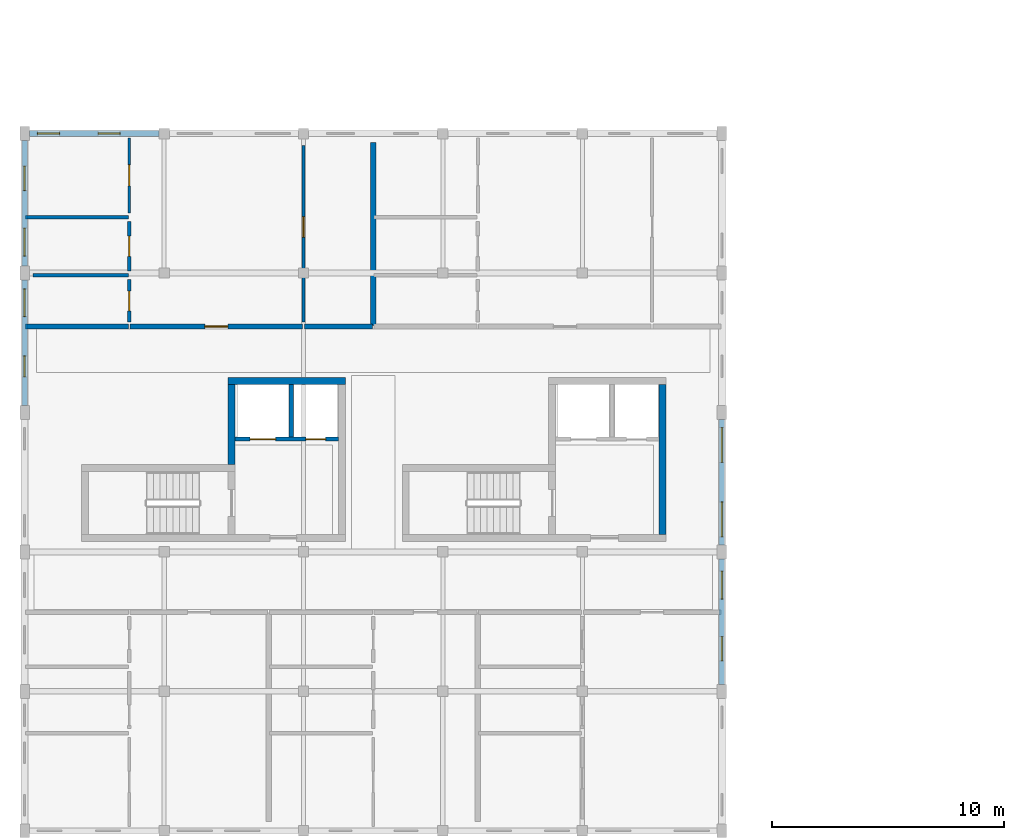
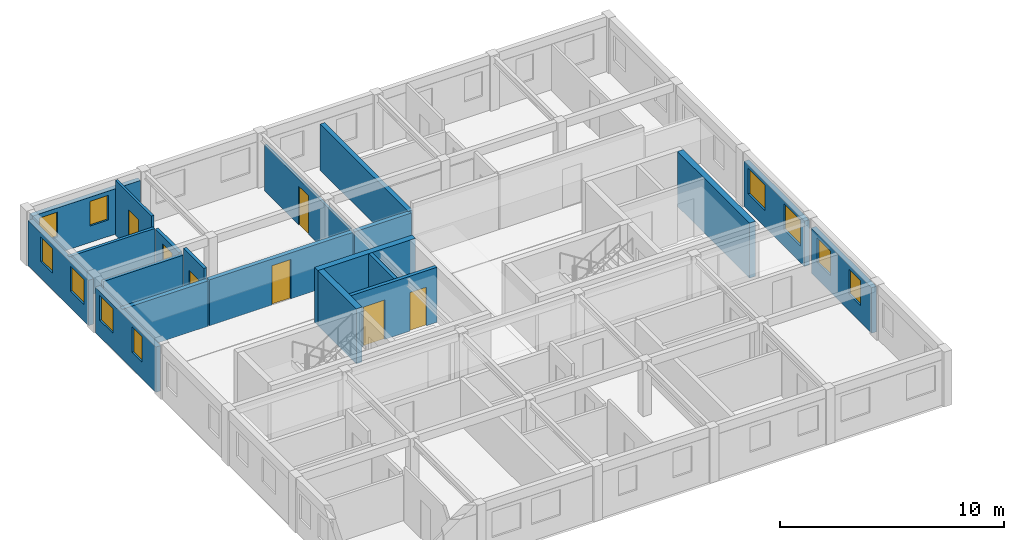
# One storey, part 4 of 9: 20 walls, 10 windows, 7 doors, 17 openings.
"""IFC4 building model written with IfcOpenShell, lengths in metres."""

from ifc_helpers import new_model, si_unit, direction, frame, frame_2d, origin, place, context, subcontext, project, spatial, rectangle, extrude, material, layer, layer_set, type_object, element, fill, save


model = new_model("IFC4")

# Units and contexts
model_context = context("Model", 3, precision=1e-05, world=origin(), true_north=direction((0.0, 1.0)))
body_context = subcontext(model_context, "Body", "Model", "MODEL_VIEW")
ifc_project = project(units=[si_unit("LENGTHUNIT", "METRE"), si_unit("AREAUNIT", "SQUARE_METRE"), si_unit("VOLUMEUNIT", "CUBIC_METRE"), si_unit("PLANEANGLEUNIT", "RADIAN"), si_unit("MASSUNIT", "GRAM", prefix="KILO"), si_unit("POWERUNIT", "WATT"), si_unit("THERMODYNAMICTEMPERATUREUNIT", "KELVIN")], contexts=[model_context])

# Site, building, storey
site_placement = place(None, origin())
site = spatial("IfcSite", under=ifc_project, at=site_placement, CompositionType="ELEMENT")
building_placement = place(site_placement, origin())
building = spatial("IfcBuilding", under=site, at=building_placement, Name="Ruvembo Vaulted Housing Court", CompositionType="ELEMENT")
storey_placement = place(building_placement, frame((0.0, 0.0, 36.5)))
storey = spatial("IfcBuildingStorey", under=building, at=storey_placement, Name="L11", CompositionType="ELEMENT", Elevation=36.5)

# Walls
ifc_material_1 = material(Name="Concrete C35/45", Category="concrete")
ifc_layer_1 = layer(ifc_material_1, 0.300048828125, Name="Concrete C35/45")
ifc_layer_set_1 = layer_set([ifc_layer_1], Name="Concrete C35/45")
wall_type_1 = type_object("IfcWallType", Name="WL-CORE-300", PredefinedType="SHEAR", material=ifc_layer_set_1)
wall_1_placement = place(storey_placement, frame((13.800048828125, 25.35009765625, 0.0), z_axis=(0.0, 0.0, 1.0), x_axis=(-1.0, 0.0, 0.0)))
element("IfcWall", 1, at=wall_1_placement, inside=storey, type_object=wall_type_1, Name="Core A1 L11 North Shear Wall", PredefinedType="SHEAR", context=body_context, shape_type="SweptSolid", body=[
    extrude(rectangle(XDim=5.050048828125, YDim=0.300048828125, at=frame_2d((2.52490234375, 0.0))), origin(), (0.0, 0.0, 1.0), 2.9951171875),
])
wall_2_placement = place(storey_placement, frame((8.89990234375, 21.75, 0.0), z_axis=(0.0, 0.0, 1.0), x_axis=(0.0, 1.0, 0.0)))
element("IfcWall", 2, at=wall_2_placement, inside=storey, type_object=wall_type_1, Name="Core A1 L11 Upper West Shear Wall", PredefinedType="SHEAR", context=body_context, shape_type="SweptSolid", body=[
    extrude(rectangle(XDim=3.449951171875, YDim=0.300048828125, at=frame_2d((1.72509765625, 0.0))), origin(), (0.0, 0.0, 1.0), 2.9951171875),
])
wall_3_placement = place(storey_placement, frame((27.449951171875, 18.75, 0.0), z_axis=(0.0, 0.0, 1.0), x_axis=(0.0, 1.0, 0.0)))
element("IfcWall", 3, at=wall_3_placement, inside=storey, type_object=wall_type_1, Name="Core A2 L11 East Shear Wall", PredefinedType="SHEAR", context=body_context, shape_type="SweptSolid", body=[
    extrude(rectangle(XDim=6.449951171875, YDim=0.300048828125, at=frame_2d((3.22509765625, 0.0))), origin(), (0.0, 0.0, 1.0), 2.9951171875),
])
ifc_material_2 = material(Name="Concrete Blockwork 210", Category="masonry")
ifc_layer_2 = layer(ifc_material_2, 0.2099609375, Name="Concrete Blockwork 210")
ifc_layer_set_2 = layer_set([ifc_layer_2], Name="Concrete Blockwork 210")
wall_type_2 = type_object("IfcWallType", Name="WL-CORR-210", PredefinedType="SOLIDWALL", material=ifc_layer_set_2)
wall_4_placement = place(storey_placement, frame((0.0400390625, 27.699951171875, 0.0), z_axis=(0.0, 0.0, 1.0), x_axis=(1.0, 0.0, 0.0)))
element("IfcWall", 4, at=wall_4_placement, inside=storey, type_object=wall_type_2, Name="L11 Flat A-L11-N1 Corridor Wall WL-INT-L11-02288", PredefinedType="SOLIDWALL", context=body_context, shape_type="SweptSolid", body=[
    extrude(rectangle(XDim=4.419921875, YDim=0.2099609375, at=frame_2d((2.2099609375, 0.0))), origin(), (0.0, 0.0, 1.0), 2.47705078125),
])

# Wall, opening, door
wall_5_placement = place(storey_placement, frame((4.5400390625, 27.699951171875, 0.0), z_axis=(0.0, 0.0, 1.0), x_axis=(1.0, 0.0, 0.0)))
wall_5 = element("IfcWall", 5, at=wall_5_placement, inside=storey, type_object=wall_type_2, Name="L11 Flat A-L11-N1 Entrance WL-INT-L11-02289", PredefinedType="SOLIDWALL", context=body_context, shape_type="SweptSolid", body=[
    extrude(rectangle(XDim=7.419921875, YDim=0.2099609375, at=frame_2d((3.7099609375, 0.0))), origin(), (0.0, 0.0, 1.0), 2.508056640625),
])
opening_1_placement = place(wall_5_placement, frame((3.219970703125, 0.0, 0.0)))
opening_1 = element("IfcOpeningElement", 6, at=opening_1_placement, cuts=wall_5, Name="Opening FD2", PredefinedType="OPENING", context=body_context, shape_type="SweptSolid", body=[
    extrude(rectangle(XDim=0.97998046875, YDim=2.14990234375, at=frame_2d((0.489990234375, 1.074951171875))), frame((0.0, 0.114990234375, 0.0), z_axis=(0.0, -1.0, 0.0), x_axis=(1.0, 0.0, 0.0)), (0.0, 0.0, 1.0), 0.22998046875),
])
ifc_material_3 = material(Name="FSC Hardwood and Engineered Timber", Category="wood")
door_type_1 = type_object("IfcDoorType", Name="DR-FLAT-0980x2150", OperationType="NOTDEFINED", PredefinedType="DOOR", material=ifc_material_3)
door_1_placement = place(opening_1_placement, origin())
door_1 = element("IfcDoor", 7, at=door_1_placement, inside=storey, type_object=door_type_1, Name="L11 Flat A-L11-N1 Entrance Door DR-INT-L11-01267", OperationType="SINGLE_SWING_LEFT", OverallHeight=2.14990234375, OverallWidth=0.97998046875, PredefinedType="DOOR", context=body_context, shape_type="SweptSolid", body=[
    extrude(rectangle(XDim=0.97998046875, YDim=2.14990234375, at=frame_2d((0.489990234375, 1.074951171875))), frame((0.0, 0.02490234375, 0.0), z_axis=(0.0, -1.0, 0.0), x_axis=(1.0, 0.0, 0.0)), (0.0, 0.0, 1.0), 0.050048828125),
])
fill(opening_1, door_1)

# Walls
wall_6_placement = place(storey_placement, frame((12.0400390625, 27.699951171875, 0.0), z_axis=(0.0, 0.0, 1.0), x_axis=(1.0, 0.0, 0.0)))
element("IfcWall", 8, at=wall_6_placement, inside=storey, type_object=wall_type_2, Name="L11 Flat A-L11-N1 Corridor Wall 2 WL-INT-L11-02295", PredefinedType="SOLIDWALL", context=body_context, shape_type="SweptSolid", body=[
    extrude(rectangle(XDim=2.919921875, YDim=0.2099609375, at=frame_2d((1.4599609375, 0.0))), origin(), (0.0, 0.0, 1.0), 2.508056640625),
])
ifc_material_4 = material(Name="Acoustic Masonry Demising 230", Category="masonry")
ifc_layer_3 = layer(ifc_material_4, 0.22998046875, Name="Acoustic Masonry Demising 230")
ifc_layer_set_3 = layer_set([ifc_layer_3], Name="Acoustic Masonry Demising 230")
wall_type_3 = type_object("IfcWallType", Name="WL-DEM-230", PredefinedType="SOLIDWALL", material=ifc_layer_set_3)
wall_7_placement = place(storey_placement, frame((15.0, 27.739990234375, 0.0), z_axis=(0.0, 0.0, 1.0), x_axis=(0.0, 1.0, 0.0)))
element("IfcWall", 9, at=wall_7_placement, inside=storey, type_object=wall_type_3, Name="L11 Demising A-L11-N1 WL-INT-L11-02287", PredefinedType="SOLIDWALL", context=body_context, shape_type="SweptSolid", body=[
    extrude(rectangle(XDim=7.8701171875, YDim=0.22998046875, at=frame_2d((3.93505859375, 0.0))), origin(), (0.0, 0.0, 1.0), 2.527099609375),
])

# Wall, openings, windows
ifc_material_5 = material(Name="Rendered Masonry 245", Category="masonry")
ifc_layer_4 = layer(ifc_material_5, 0.2451171875, Name="Rendered Masonry 245")
ifc_layer_set_4 = layer_set([ifc_layer_4], Name="Rendered Masonry 245")
wall_type_4 = type_object("IfcWallType", Name="WL-EXT-245", PredefinedType="STANDARD", material=ifc_layer_set_4)
wall_8_placement = place(storey_placement, frame((30.0, 12.300048828125, 0.0), z_axis=(0.0, 0.0, 1.0), x_axis=(0.0, 1.0, 0.0)))
wall_8 = element("IfcWall", 10, at=wall_8_placement, inside=storey, type_object=wall_type_4, Name="Block A L11 Exterior Wall EAST #2", PredefinedType="STANDARD", context=body_context, shape_type="SweptSolid", body=[
    extrude(rectangle(XDim=5.39990234375, YDim=0.2451171875, at=frame_2d((2.699951171875, 0.0))), origin(), (0.0, 0.0, 1.0), 2.47705078125),
])
opening_2_placement = place(wall_8_placement, frame((1.0048828125, 0.0, 0.89990234375)))
opening_2 = element("IfcOpeningElement", 11, at=opening_2_placement, cuts=wall_8, Name="Opening W09", PredefinedType="OPENING", context=body_context, shape_type="SweptSolid", body=[
    extrude(rectangle(XDim=1.050048828125, YDim=1.35009765625, at=frame_2d((0.52490234375, 0.675048828125))), frame((0.0, 0.132568359375, 0.0), z_axis=(0.0, -1.0, 0.0), x_axis=(1.0, 0.0, 0.0)), (0.0, 0.0, 1.0), 0.26513671875),
])
opening_3_placement = place(wall_8_placement, frame((3.669921875, 0.0, 0.89990234375)))
opening_3 = element("IfcOpeningElement", 12, at=opening_3_placement, cuts=wall_8, Name="Opening W12", PredefinedType="OPENING", context=body_context, shape_type="SweptSolid", body=[
    extrude(rectangle(XDim=1.199951171875, YDim=1.35009765625, at=frame_2d((0.60009765625, 0.675048828125))), frame((0.0, 0.132568359375, 0.0), z_axis=(0.0, -1.0, 0.0), x_axis=(1.0, 0.0, 0.0)), (0.0, 0.0, 1.0), 0.26513671875),
])
ifc_material_6 = material(Name="Double Solar-Control Glazing in Aluminium Frame", Category="aluminium")
window_type_1 = type_object("IfcWindowType", Name="WIN-1050x1350", PartitioningType="SINGLE_PANEL", PredefinedType="WINDOW", material=ifc_material_6)
window_1_placement = place(opening_2_placement, origin())
window_1 = element("IfcWindow", 13, at=window_1_placement, inside=storey, type_object=window_type_1, Name="Block A L11 Window #483", OverallHeight=1.35009765625, OverallWidth=1.050048828125, PartitioningType="SINGLE_PANEL", PredefinedType="WINDOW", context=body_context, shape_type="SweptSolid", body=[
    extrude(rectangle(XDim=1.050048828125, YDim=1.35009765625, at=frame_2d((0.52490234375, 0.675048828125))), frame((0.0, 0.030029296875, 0.0), z_axis=(0.0, -1.0, 0.0), x_axis=(1.0, 0.0, 0.0)), (0.0, 0.0, 1.0), 0.06005859375),
])
fill(opening_2, window_1)
window_type_2 = type_object("IfcWindowType", Name="WIN-1200x1350", PartitioningType="SINGLE_PANEL", PredefinedType="WINDOW", material=ifc_material_6)
window_2_placement = place(opening_3_placement, origin())
window_2 = element("IfcWindow", 14, at=window_2_placement, inside=storey, type_object=window_type_2, Name="Block A L11 Window #484", OverallHeight=1.35009765625, OverallWidth=1.199951171875, PartitioningType="SINGLE_PANEL", PredefinedType="WINDOW", context=body_context, shape_type="SweptSolid", body=[
    extrude(rectangle(XDim=1.199951171875, YDim=1.35009765625, at=frame_2d((0.60009765625, 0.675048828125))), frame((0.0, 0.030029296875, 0.0), z_axis=(0.0, -1.0, 0.0), x_axis=(1.0, 0.0, 0.0)), (0.0, 0.0, 1.0), 0.06005859375),
])
fill(opening_3, window_2)

wall_9_placement = place(storey_placement, frame((30.0, 18.300048828125, 0.0), z_axis=(0.0, 0.0, 1.0), x_axis=(0.0, 1.0, 0.0)))
wall_9 = element("IfcWall", 15, at=wall_9_placement, inside=storey, type_object=wall_type_4, Name="Block A L11 Exterior Wall EAST #3", PredefinedType="STANDARD", context=body_context, shape_type="SweptSolid", body=[
    extrude(rectangle(XDim=5.39990234375, YDim=0.2451171875, at=frame_2d((2.699951171875, 0.0))), origin(), (0.0, 0.0, 1.0), 2.47705078125),
])
opening_4_placement = place(wall_9_placement, frame((0.35009765625, 0.0, 0.89990234375)))
opening_4 = element("IfcOpeningElement", 16, at=opening_4_placement, cuts=wall_9, Name="Opening W18", PredefinedType="OPENING", context=body_context, shape_type="SweptSolid", body=[
    extrude(rectangle(XDim=1.5, YDim=1.39990234375, at=frame_2d((0.75, 0.699951171875))), frame((0.0, 0.132568359375, 0.0), z_axis=(0.0, -1.0, 0.0), x_axis=(1.0, 0.0, 0.0)), (0.0, 0.0, 1.0), 0.26513671875),
])
opening_5_placement = place(wall_9_placement, frame((3.550048828125, 0.0, 0.89990234375)))
opening_5 = element("IfcOpeningElement", 17, at=opening_5_placement, cuts=wall_9, Name="Opening W18", PredefinedType="OPENING", context=body_context, shape_type="SweptSolid", body=[
    extrude(rectangle(XDim=1.5, YDim=1.39990234375, at=frame_2d((0.75, 0.699951171875))), frame((0.0, 0.132568359375, 0.0), z_axis=(0.0, -1.0, 0.0), x_axis=(1.0, 0.0, 0.0)), (0.0, 0.0, 1.0), 0.26513671875),
])
window_type_3 = type_object("IfcWindowType", Name="WIN-1500x1400", PartitioningType="SINGLE_PANEL", PredefinedType="WINDOW", material=ifc_material_6)
window_3_placement = place(opening_4_placement, origin())
window_3 = element("IfcWindow", 18, at=window_3_placement, inside=storey, type_object=window_type_3, Name="Block A L11 Window #485", OverallHeight=1.39990234375, OverallWidth=1.5, PartitioningType="SINGLE_PANEL", PredefinedType="WINDOW", context=body_context, shape_type="SweptSolid", body=[
    extrude(rectangle(XDim=1.5, YDim=1.39990234375, at=frame_2d((0.75, 0.699951171875))), frame((0.0, 0.030029296875, 0.0), z_axis=(0.0, -1.0, 0.0), x_axis=(1.0, 0.0, 0.0)), (0.0, 0.0, 1.0), 0.06005859375),
])
fill(opening_4, window_3)
window_4_placement = place(opening_5_placement, origin())
window_4 = element("IfcWindow", 19, at=window_4_placement, inside=storey, type_object=window_type_3, Name="Block A L11 Window #486", OverallHeight=1.39990234375, OverallWidth=1.5, PartitioningType="SINGLE_PANEL", PredefinedType="WINDOW", context=body_context, shape_type="SweptSolid", body=[
    extrude(rectangle(XDim=1.5, YDim=1.39990234375, at=frame_2d((0.75, 0.699951171875))), frame((0.0, 0.030029296875, 0.0), z_axis=(0.0, -1.0, 0.0), x_axis=(1.0, 0.0, 0.0)), (0.0, 0.0, 1.0), 0.06005859375),
])
fill(opening_5, window_4)

wall_10_placement = place(storey_placement, frame((5.77490234375, 36.0, 0.0), z_axis=(0.0, 0.0, 1.0), x_axis=(-1.0, 0.0, 0.0)))
wall_10 = element("IfcWall", 20, at=wall_10_placement, inside=storey, type_object=wall_type_4, Name="Block A L11 Exterior Wall COURTYARD #5", PredefinedType="STANDARD", context=body_context, shape_type="SweptSolid", body=[
    extrude(rectangle(XDim=5.574951171875, YDim=0.2451171875, at=frame_2d((2.78759765625, 0.0))), origin(), (0.0, 0.0, 1.0), 2.47705078125),
])
opening_6_placement = place(wall_10_placement, frame((1.6650390625, 0.0, 0.89990234375)))
opening_6 = element("IfcOpeningElement", 21, at=opening_6_placement, cuts=wall_10, Name="Opening W07", PredefinedType="OPENING", context=body_context, shape_type="SweptSolid", body=[
    extrude(rectangle(XDim=0.949951171875, YDim=1.35009765625, at=frame_2d((0.47509765625, 0.675048828125))), frame((0.0, 0.132568359375, 0.0), z_axis=(0.0, -1.0, 0.0), x_axis=(1.0, 0.0, 0.0)), (0.0, 0.0, 1.0), 0.26513671875),
])
opening_7_placement = place(wall_10_placement, frame((4.27490234375, 0.0, 0.89990234375)))
opening_7 = element("IfcOpeningElement", 22, at=opening_7_placement, cuts=wall_10, Name="Opening W07", PredefinedType="OPENING", context=body_context, shape_type="SweptSolid", body=[
    extrude(rectangle(XDim=0.949951171875, YDim=1.35009765625, at=frame_2d((0.47509765625, 0.675048828125))), frame((0.0, 0.132568359375, 0.0), z_axis=(0.0, -1.0, 0.0), x_axis=(1.0, 0.0, 0.0)), (0.0, 0.0, 1.0), 0.26513671875),
])
window_type_4 = type_object("IfcWindowType", Name="WIN-0950x1350", PartitioningType="SINGLE_PANEL", PredefinedType="WINDOW", material=ifc_material_6)
window_5_placement = place(opening_6_placement, origin())
window_5 = element("IfcWindow", 23, at=window_5_placement, inside=storey, type_object=window_type_4, Name="Block A L11 Window #499", OverallHeight=1.35009765625, OverallWidth=0.949951171875, PartitioningType="SINGLE_PANEL", PredefinedType="WINDOW", context=body_context, shape_type="SweptSolid", body=[
    extrude(rectangle(XDim=0.949951171875, YDim=1.35009765625, at=frame_2d((0.47509765625, 0.675048828125))), frame((0.0, 0.030029296875, 0.0), z_axis=(0.0, -1.0, 0.0), x_axis=(1.0, 0.0, 0.0)), (0.0, 0.0, 1.0), 0.06005859375),
])
fill(opening_6, window_5)
window_6_placement = place(opening_7_placement, origin())
window_6 = element("IfcWindow", 24, at=window_6_placement, inside=storey, type_object=window_type_4, Name="Block A L11 Window #500", OverallHeight=1.35009765625, OverallWidth=0.949951171875, PartitioningType="SINGLE_PANEL", PredefinedType="WINDOW", context=body_context, shape_type="SweptSolid", body=[
    extrude(rectangle(XDim=0.949951171875, YDim=1.35009765625, at=frame_2d((0.47509765625, 0.675048828125))), frame((0.0, 0.030029296875, 0.0), z_axis=(0.0, -1.0, 0.0), x_axis=(1.0, 0.0, 0.0)), (0.0, 0.0, 1.0), 0.06005859375),
])
fill(opening_7, window_6)

wall_11_placement = place(storey_placement, frame((0.0, 35.699951171875, 0.0), z_axis=(0.0, 0.0, 1.0), x_axis=(0.0, -1.0, 0.0)))
wall_11 = element("IfcWall", 25, at=wall_11_placement, inside=storey, type_object=wall_type_4, Name="Block A L11 Exterior Wall WEST #1", PredefinedType="STANDARD", context=body_context, shape_type="SweptSolid", body=[
    extrude(rectangle(XDim=5.39990234375, YDim=0.2451171875, at=frame_2d((2.699951171875, 0.0))), origin(), (0.0, 0.0, 1.0), 2.47705078125),
])
opening_8_placement = place(wall_11_placement, frame((1.10498046875, 0.0, 0.89990234375)))
opening_8 = element("IfcOpeningElement", 26, at=opening_8_placement, cuts=wall_11, Name="Opening W09", PredefinedType="OPENING", context=body_context, shape_type="SweptSolid", body=[
    extrude(rectangle(XDim=1.050048828125, YDim=1.35009765625, at=frame_2d((0.52490234375, 0.675048828125))), frame((0.0, 0.132568359375, 0.0), z_axis=(0.0, -1.0, 0.0), x_axis=(1.0, 0.0, 0.0)), (0.0, 0.0, 1.0), 0.26513671875),
])
opening_9_placement = place(wall_11_placement, frame((3.77001953125, 0.0, 0.89990234375)))
opening_9 = element("IfcOpeningElement", 27, at=opening_9_placement, cuts=wall_11, Name="Opening W12", PredefinedType="OPENING", context=body_context, shape_type="SweptSolid", body=[
    extrude(rectangle(XDim=1.199951171875, YDim=1.35009765625, at=frame_2d((0.60009765625, 0.675048828125))), frame((0.0, 0.132568359375, 0.0), z_axis=(0.0, -1.0, 0.0), x_axis=(1.0, 0.0, 0.0)), (0.0, 0.0, 1.0), 0.26513671875),
])
window_7_placement = place(opening_8_placement, origin())
window_7 = element("IfcWindow", 28, at=window_7_placement, inside=storey, type_object=window_type_1, Name="Block A L11 Window #501", OverallHeight=1.35009765625, OverallWidth=1.050048828125, PartitioningType="SINGLE_PANEL", PredefinedType="WINDOW", context=body_context, shape_type="SweptSolid", body=[
    extrude(rectangle(XDim=1.050048828125, YDim=1.35009765625, at=frame_2d((0.52490234375, 0.675048828125))), frame((0.0, 0.030029296875, 0.0), z_axis=(0.0, -1.0, 0.0), x_axis=(1.0, 0.0, 0.0)), (0.0, 0.0, 1.0), 0.06005859375),
])
fill(opening_8, window_7)
window_8_placement = place(opening_9_placement, origin())
window_8 = element("IfcWindow", 29, at=window_8_placement, inside=storey, type_object=window_type_2, Name="Block A L11 Window #502", OverallHeight=1.35009765625, OverallWidth=1.199951171875, PartitioningType="SINGLE_PANEL", PredefinedType="WINDOW", context=body_context, shape_type="SweptSolid", body=[
    extrude(rectangle(XDim=1.199951171875, YDim=1.35009765625, at=frame_2d((0.60009765625, 0.675048828125))), frame((0.0, 0.030029296875, 0.0), z_axis=(0.0, -1.0, 0.0), x_axis=(1.0, 0.0, 0.0)), (0.0, 0.0, 1.0), 0.06005859375),
])
fill(opening_9, window_8)

wall_12_placement = place(storey_placement, frame((0.0, 29.699951171875, 0.0), z_axis=(0.0, 0.0, 1.0), x_axis=(0.0, -1.0, 0.0)))
wall_12 = element("IfcWall", 30, at=wall_12_placement, inside=storey, type_object=wall_type_4, Name="Block A L11 Exterior Wall WEST #2", PredefinedType="STANDARD", context=body_context, shape_type="SweptSolid", body=[
    extrude(rectangle(XDim=5.39990234375, YDim=0.2451171875, at=frame_2d((2.699951171875, 0.0))), origin(), (0.0, 0.0, 1.0), 2.47705078125),
])
opening_10_placement = place(wall_12_placement, frame((0.3798828125, 0.0, 0.89990234375)))
opening_10 = element("IfcOpeningElement", 31, at=opening_10_placement, cuts=wall_12, Name="Opening W12", PredefinedType="OPENING", context=body_context, shape_type="SweptSolid", body=[
    extrude(rectangle(XDim=1.199951171875, YDim=1.35009765625, at=frame_2d((0.60009765625, 0.675048828125))), frame((0.0, 0.132568359375, 0.0), z_axis=(0.0, -1.0, 0.0), x_axis=(1.0, 0.0, 0.0)), (0.0, 0.0, 1.0), 0.26513671875),
])
opening_11_placement = place(wall_12_placement, frame((3.27001953125, 0.0, 0.89990234375)))
opening_11 = element("IfcOpeningElement", 32, at=opening_11_placement, cuts=wall_12, Name="Opening W05", PredefinedType="OPENING", context=body_context, shape_type="SweptSolid", body=[
    extrude(rectangle(XDim=0.89990234375, YDim=1.39990234375, at=frame_2d((0.449951171875, 0.699951171875))), frame((0.0, 0.132568359375, 0.0), z_axis=(0.0, -1.0, 0.0), x_axis=(1.0, 0.0, 0.0)), (0.0, 0.0, 1.0), 0.26513671875),
])
window_type_5 = type_object("IfcWindowType", Name="WIN-0900x1400", PartitioningType="SINGLE_PANEL", PredefinedType="WINDOW", material=ifc_material_6)
window_9_placement = place(opening_11_placement, origin())
window_9 = element("IfcWindow", 33, at=window_9_placement, inside=storey, type_object=window_type_5, Name="Block A L11 Window #504", OverallHeight=1.39990234375, OverallWidth=0.89990234375, PartitioningType="SINGLE_PANEL", PredefinedType="WINDOW", context=body_context, shape_type="SweptSolid", body=[
    extrude(rectangle(XDim=0.89990234375, YDim=1.39990234375, at=frame_2d((0.449951171875, 0.699951171875))), frame((0.0, 0.030029296875, 0.0), z_axis=(0.0, -1.0, 0.0), x_axis=(1.0, 0.0, 0.0)), (0.0, 0.0, 1.0), 0.06005859375),
])
fill(opening_11, window_9)
window_10_placement = place(opening_10_placement, origin())
window_10 = element("IfcWindow", 34, at=window_10_placement, inside=storey, type_object=window_type_2, Name="Block A L11 Window #503", OverallHeight=1.35009765625, OverallWidth=1.199951171875, PartitioningType="SINGLE_PANEL", PredefinedType="WINDOW", context=body_context, shape_type="SweptSolid", body=[
    extrude(rectangle(XDim=1.199951171875, YDim=1.35009765625, at=frame_2d((0.60009765625, 0.675048828125))), frame((0.0, 0.030029296875, 0.0), z_axis=(0.0, -1.0, 0.0), x_axis=(1.0, 0.0, 0.0)), (0.0, 0.0, 1.0), 0.06005859375),
])
fill(opening_10, window_10)

# Wall, opening, door
ifc_material_7 = material(Name="Plasterboard Stud Partition 125", Category="gypsum")
ifc_layer_5 = layer(ifc_material_7, 0.125, Name="Plasterboard Stud Partition 125")
ifc_layer_set_5 = layer_set([ifc_layer_5], Name="Plasterboard Stud Partition 125")
wall_type_5 = type_object("IfcWallType", Name="WL-PART-125", PredefinedType="PARTITIONING", material=ifc_layer_set_5)
wall_13_placement = place(storey_placement, frame((4.5, 32.590087890625, 0.0), z_axis=(0.0, 0.0, 1.0), x_axis=(0.0, 1.0, 0.0)))
wall_13 = element("IfcWall", 35, at=wall_13_placement, inside=storey, type_object=wall_type_5, Name="L11 Flat A-L11-N1 Bedroom 1 WL-INT-L11-02290", PredefinedType="PARTITIONING", context=body_context, shape_type="SweptSolid", body=[
    extrude(rectangle(XDim=3.219970703125, YDim=0.125, at=frame_2d((1.60986328125, 0.0))), origin(), (0.0, 0.0, 1.0), 2.9951171875),
])
opening_12_placement = place(wall_13_placement, frame((1.159912109375, 0.0, 0.0)))
opening_12 = element("IfcOpeningElement", 36, at=opening_12_placement, cuts=wall_13, Name="Opening ID1", PredefinedType="OPENING", context=body_context, shape_type="SweptSolid", body=[
    extrude(rectangle(XDim=0.89990234375, YDim=2.10009765625, at=frame_2d((0.449951171875, 1.050048828125))), frame((0.0, 0.072509765625, 0.0), z_axis=(0.0, -1.0, 0.0), x_axis=(1.0, 0.0, 0.0)), (0.0, 0.0, 1.0), 0.14501953125),
])
door_type_2 = type_object("IfcDoorType", Name="DR-ROOM-0900x2100", OperationType="NOTDEFINED", PredefinedType="DOOR", material=ifc_material_3)
door_2_placement = place(opening_12_placement, origin())
door_2 = element("IfcDoor", 37, at=door_2_placement, inside=storey, type_object=door_type_2, Name="L11 Flat A-L11-N1 Bedroom 1 Door DR-INT-L11-01268", OperationType="SINGLE_SWING_RIGHT", OverallHeight=2.10009765625, OverallWidth=0.89990234375, PredefinedType="DOOR", context=body_context, shape_type="SweptSolid", body=[
    extrude(rectangle(XDim=0.89990234375, YDim=2.10009765625, at=frame_2d((0.449951171875, 1.050048828125))), frame((0.0, 0.02490234375, 0.0), z_axis=(0.0, -1.0, 0.0), x_axis=(1.0, 0.0, 0.0)), (0.0, 0.0, 1.0), 0.050048828125),
])
fill(opening_12, door_2)

wall_14_placement = place(storey_placement, frame((12.0, 27.889892578125, 0.0), z_axis=(0.0, 0.0, 1.0), x_axis=(0.0, 1.0, 0.0)))
wall_14 = element("IfcWall", 38, at=wall_14_placement, inside=storey, type_object=wall_type_5, Name="L11 Flat A-L11-N1 Bedroom 2 WL-INT-L11-02296", PredefinedType="PARTITIONING", context=body_context, shape_type="SweptSolid", body=[
    extrude(rectangle(XDim=7.60009765625, YDim=0.125, at=frame_2d((3.800048828125, 0.0))), origin(), (0.0, 0.0, 1.0), 2.508056640625),
])
opening_13_placement = place(wall_14_placement, frame((3.64990234375, 0.0, 0.0)))
opening_13 = element("IfcOpeningElement", 39, at=opening_13_placement, cuts=wall_14, Name="Opening ID3", PredefinedType="OPENING", context=body_context, shape_type="SweptSolid", body=[
    extrude(rectangle(XDim=0.8798828125, YDim=2.10009765625, at=frame_2d((0.43994140625, 1.050048828125))), frame((0.0, 0.072509765625, 0.0), z_axis=(0.0, -1.0, 0.0), x_axis=(1.0, 0.0, 0.0)), (0.0, 0.0, 1.0), 0.14501953125),
])
door_type_3 = type_object("IfcDoorType", Name="DR-ROOM-0880x2100", OperationType="NOTDEFINED", PredefinedType="DOOR", material=ifc_material_3)
door_3_placement = place(opening_13_placement, origin())
door_3 = element("IfcDoor", 40, at=door_3_placement, inside=storey, type_object=door_type_3, Name="L11 Flat A-L11-N1 Bedroom 2 Door DR-INT-L11-01271", OperationType="SINGLE_SWING_LEFT", OverallHeight=2.10009765625, OverallWidth=0.8798828125, PredefinedType="DOOR", context=body_context, shape_type="SweptSolid", body=[
    extrude(rectangle(XDim=0.8798828125, YDim=2.10009765625, at=frame_2d((0.43994140625, 1.050048828125))), frame((0.0, 0.02490234375, 0.0), z_axis=(0.0, -1.0, 0.0), x_axis=(1.0, 0.0, 0.0)), (0.0, 0.0, 1.0), 0.050048828125),
])
fill(opening_13, door_3)

ifc_material_8 = material(Name="Moisture-Resistant Wet Partition 150", Category="gypsum")
ifc_layer_6 = layer(ifc_material_8, 0.14990234375, Name="Moisture-Resistant Wet Partition 150")
ifc_layer_set_6 = layer_set([ifc_layer_6], Name="Moisture-Resistant Wet Partition 150")
wall_type_6 = type_object("IfcWallType", Name="WL-PART-150", PredefinedType="PARTITIONING", material=ifc_layer_set_6)
wall_15_placement = place(storey_placement, frame((4.5, 27.889892578125, 0.0), z_axis=(0.0, 0.0, 1.0), x_axis=(0.0, 1.0, 0.0)))
wall_15 = element("IfcWall", 41, at=wall_15_placement, inside=storey, type_object=wall_type_6, Name="L11 Flat A-L11-N1 Bathroom WL-INT-L11-02292", PredefinedType="PARTITIONING", context=body_context, shape_type="SweptSolid", body=[
    extrude(rectangle(XDim=1.820068359375, YDim=0.14990234375, at=frame_2d((0.91015625, 0.0))), origin(), (0.0, 0.0, 1.0), 2.9951171875),
])
opening_14_placement = place(wall_15_placement, frame((0.485107421875, 0.0, 0.0)))
opening_14 = element("IfcOpeningElement", 42, at=opening_14_placement, cuts=wall_15, Name="Opening ID2", PredefinedType="OPENING", context=body_context, shape_type="SweptSolid", body=[
    extrude(rectangle(XDim=0.85009765625, YDim=2.10009765625, at=frame_2d((0.425048828125, 1.050048828125))), frame((0.0, 0.0849609375, 0.0), z_axis=(0.0, -1.0, 0.0), x_axis=(1.0, 0.0, 0.0)), (0.0, 0.0, 1.0), 0.169921875),
])
door_type_4 = type_object("IfcDoorType", Name="DR-WET-0850x2100", OperationType="NOTDEFINED", PredefinedType="DOOR", material=ifc_material_3)
door_4_placement = place(opening_14_placement, origin())
door_4 = element("IfcDoor", 43, at=door_4_placement, inside=storey, type_object=door_type_4, Name="L11 Flat A-L11-N1 Bathroom Door DR-INT-L11-01270", OperationType="SINGLE_SWING_RIGHT", OverallHeight=2.10009765625, OverallWidth=0.85009765625, PredefinedType="DOOR", context=body_context, shape_type="SweptSolid", body=[
    extrude(rectangle(XDim=0.85009765625, YDim=2.10009765625, at=frame_2d((0.425048828125, 1.050048828125))), frame((0.0, 0.02490234375, 0.0), z_axis=(0.0, -1.0, 0.0), x_axis=(1.0, 0.0, 0.0)), (0.0, 0.0, 1.0), 0.050048828125),
])
fill(opening_14, door_4)

# Walls
wall_16_placement = place(storey_placement, frame((0.0400390625, 32.39990234375, 0.0), z_axis=(0.0, 0.0, 1.0), x_axis=(1.0, 0.0, 0.0)))
element("IfcWall", 44, at=wall_16_placement, inside=storey, type_object=wall_type_6, Name="L11 Flat A-L11-N1 Wet Wall 1 WL-INT-L11-02293", PredefinedType="PARTITIONING", context=body_context, shape_type="SweptSolid", body=[
    extrude(rectangle(XDim=4.419921875, YDim=0.14990234375, at=frame_2d((2.2099609375, 0.0))), origin(), (0.0, 0.0, 1.0), 2.47705078125),
])
wall_17_placement = place(storey_placement, frame((0.360107421875, 29.89990234375, 0.0), z_axis=(0.0, 0.0, 1.0), x_axis=(1.0, 0.0, 0.0)))
element("IfcWall", 45, at=wall_17_placement, inside=storey, type_object=wall_type_6, Name="L11 Flat A-L11-N1 Wet Wall 2 WL-INT-L11-02294", PredefinedType="PARTITIONING", context=body_context, shape_type="SweptSolid", body=[
    extrude(rectangle(XDim=4.099853515625, YDim=0.14990234375, at=frame_2d((2.0498046875, 0.0))), origin(), (0.0, 0.0, 1.0), 2.527099609375),
])

# Wall, opening, door
ifc_material_9 = material(Name="Acoustic Service Chase Wall 160", Category="gypsum")
ifc_layer_7 = layer(ifc_material_9, 0.159912109375, Name="Acoustic Service Chase Wall 160")
ifc_layer_set_7 = layer_set([ifc_layer_7], Name="Acoustic Service Chase Wall 160")
wall_type_7 = type_object("IfcWallType", Name="WL-PLUMB-160", PredefinedType="PLUMBINGWALL", material=ifc_layer_set_7)
wall_18_placement = place(storey_placement, frame((4.5, 30.090087890625, 0.0), z_axis=(0.0, 0.0, 1.0), x_axis=(0.0, 1.0, 0.0)))
wall_18 = element("IfcWall", 46, at=wall_18_placement, inside=storey, type_object=wall_type_7, Name="L11 Flat A-L11-N1 Kitchen WL-INT-L11-02291", PredefinedType="PLUMBINGWALL", context=body_context, shape_type="SweptSolid", body=[
    extrude(rectangle(XDim=2.119873046875, YDim=0.159912109375, at=frame_2d((1.06005859375, 0.0))), origin(), (0.0, 0.0, 1.0), 2.527099609375),
])
opening_15_placement = place(wall_18_placement, frame((0.6201171875, 0.0, 0.0)))
opening_15 = element("IfcOpeningElement", 47, at=opening_15_placement, cuts=wall_18, Name="Opening ID3", PredefinedType="OPENING", context=body_context, shape_type="SweptSolid", body=[
    extrude(rectangle(XDim=0.8798828125, YDim=2.10009765625, at=frame_2d((0.43994140625, 1.050048828125))), frame((0.0, 0.08984375, 0.0), z_axis=(0.0, -1.0, 0.0), x_axis=(1.0, 0.0, 0.0)), (0.0, 0.0, 1.0), 0.179931640625),
])
door_5_placement = place(opening_15_placement, origin())
door_5 = element("IfcDoor", 48, at=door_5_placement, inside=storey, type_object=door_type_3, Name="L11 Flat A-L11-N1 Kitchen Door DR-INT-L11-01269", OperationType="SINGLE_SWING_LEFT", OverallHeight=2.10009765625, OverallWidth=0.8798828125, PredefinedType="DOOR", context=body_context, shape_type="SweptSolid", body=[
    extrude(rectangle(XDim=0.8798828125, YDim=2.10009765625, at=frame_2d((0.43994140625, 1.050048828125))), frame((0.0, 0.02490234375, 0.0), z_axis=(0.0, -1.0, 0.0), x_axis=(1.0, 0.0, 0.0)), (0.0, 0.0, 1.0), 0.050048828125),
])
fill(opening_15, door_5)

# Wall, openings, doors
ifc_material_10 = material(Name="Fire-Rated Masonry Shaft 180", Category="masonry")
ifc_layer_8 = layer(ifc_material_10, 0.179931640625, Name="Fire-Rated Masonry Shaft 180")
ifc_layer_set_8 = layer_set([ifc_layer_8], Name="Fire-Rated Masonry Shaft 180")
wall_type_8 = type_object("IfcWallType", Name="WL-SHAFT-180", PredefinedType="SOLIDWALL", material=ifc_layer_set_8)
wall_19_placement = place(storey_placement, frame((9.050048828125, 22.85009765625, 0.0), z_axis=(0.0, 0.0, 1.0), x_axis=(1.0, 0.0, 0.0)))
wall_19 = element("IfcWall", 49, at=wall_19_placement, inside=storey, type_object=wall_type_8, Name="Core A1 L11 Lift and Riser Front Wall", PredefinedType="SOLIDWALL", context=body_context, shape_type="SweptSolid", body=[
    extrude(rectangle(XDim=4.449951171875, YDim=0.179931640625, at=frame_2d((2.22509765625, 0.0))), origin(), (0.0, 0.0, 1.0), 2.9951171875),
])
opening_16_placement = place(wall_19_placement, frame((0.64990234375, 0.0, 0.0)))
opening_16 = element("IfcOpeningElement", 50, at=opening_16_placement, cuts=wall_19, Name="Opening LD-FL-A1-L11", PredefinedType="OPENING", context=body_context, shape_type="SweptSolid", body=[
    extrude(rectangle(XDim=1.10009765625, YDim=2.14990234375, at=frame_2d((0.550048828125, 1.074951171875))), frame((0.0, 0.099853515625, 0.0), z_axis=(0.0, -1.0, 0.0), x_axis=(1.0, 0.0, 0.0)), (0.0, 0.0, 1.0), 0.199951171875),
])
opening_17_placement = place(wall_19_placement, frame((3.050048828125, 0.0, 0.0)))
opening_17 = element("IfcOpeningElement", 51, at=opening_17_placement, cuts=wall_19, Name="Opening RD1", PredefinedType="OPENING", context=body_context, shape_type="SweptSolid", body=[
    extrude(rectangle(XDim=0.85009765625, YDim=2.10009765625, at=frame_2d((0.425048828125, 1.050048828125))), frame((0.0, 0.099853515625, 0.0), z_axis=(0.0, -1.0, 0.0), x_axis=(1.0, 0.0, 0.0)), (0.0, 0.0, 1.0), 0.199951171875),
])
ifc_material_11 = material(Name="Brushed Stainless Steel 304", Category="steel")
door_type_5 = type_object("IfcDoorType", Name="DR-LIFT-1100x2150", OperationType="NOTDEFINED", PredefinedType="DOOR", material=ifc_material_11)
door_6_placement = place(opening_16_placement, origin())
door_6 = element("IfcDoor", 52, at=door_6_placement, inside=storey, type_object=door_type_5, Name="Lift FL-A1 L11 Sliding Landing Door", OperationType="SLIDING_TO_LEFT", OverallHeight=2.14990234375, OverallWidth=1.10009765625, PredefinedType="DOOR", context=body_context, shape_type="SweptSolid", body=[
    extrude(rectangle(XDim=1.10009765625, YDim=2.14990234375, at=frame_2d((0.550048828125, 1.074951171875))), frame((0.0, 0.02490234375, 0.0), z_axis=(0.0, -1.0, 0.0), x_axis=(1.0, 0.0, 0.0)), (0.0, 0.0, 1.0), 0.050048828125),
])
fill(opening_16, door_6)
ifc_material_12 = material(Name="Galvanised Painted Steel", Category="steel")
door_type_6 = type_object("IfcDoorType", Name="DR-RISER-0850x2100", OperationType="NOTDEFINED", PredefinedType="DOOR", material=ifc_material_12)
door_7_placement = place(opening_17_placement, frame((0.85009765625, 0.0, 0.0), z_axis=(0.0, 0.0, 1.0), x_axis=(-1.0, 0.0, 0.0)))
door_7 = element("IfcDoor", 53, at=door_7_placement, inside=storey, type_object=door_type_6, Name="Core A1 L11 Service Riser Door", OperationType="SINGLE_SWING_LEFT", OverallHeight=2.10009765625, OverallWidth=0.85009765625, PredefinedType="DOOR", context=body_context, shape_type="SweptSolid", body=[
    extrude(rectangle(XDim=0.85009765625, YDim=2.10009765625, at=frame_2d((0.425048828125, 1.050048828125))), frame((0.0, 0.02490234375, 0.0), z_axis=(0.0, -1.0, 0.0), x_axis=(1.0, 0.0, 0.0)), (0.0, 0.0, 1.0), 0.050048828125),
])
fill(opening_17, door_7)

# Wall
wall_20_placement = place(storey_placement, frame((11.469970703125, 22.93994140625, 0.0), z_axis=(0.0, 0.0, 1.0), x_axis=(0.0, 1.0, 0.0)))
element("IfcWall", 54, at=wall_20_placement, inside=storey, type_object=wall_type_8, Name="Core A1 L11 Shaft-Riser Divider Wall", PredefinedType="SOLIDWALL", context=body_context, shape_type="SweptSolid", body=[
    extrude(rectangle(XDim=2.260009765625, YDim=0.179931640625, at=frame_2d((1.1298828125, 0.0))), origin(), (0.0, 0.0, 1.0), 2.9951171875),
])

save(model, "model.ifc")
